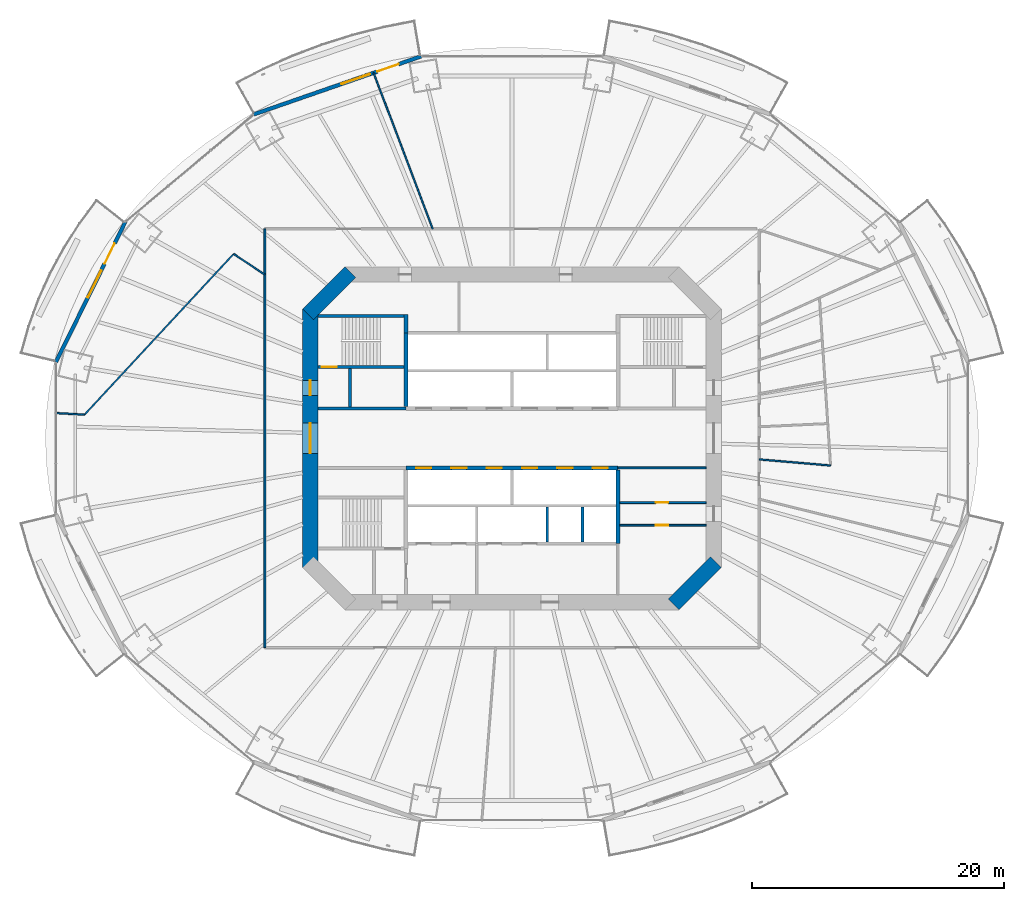
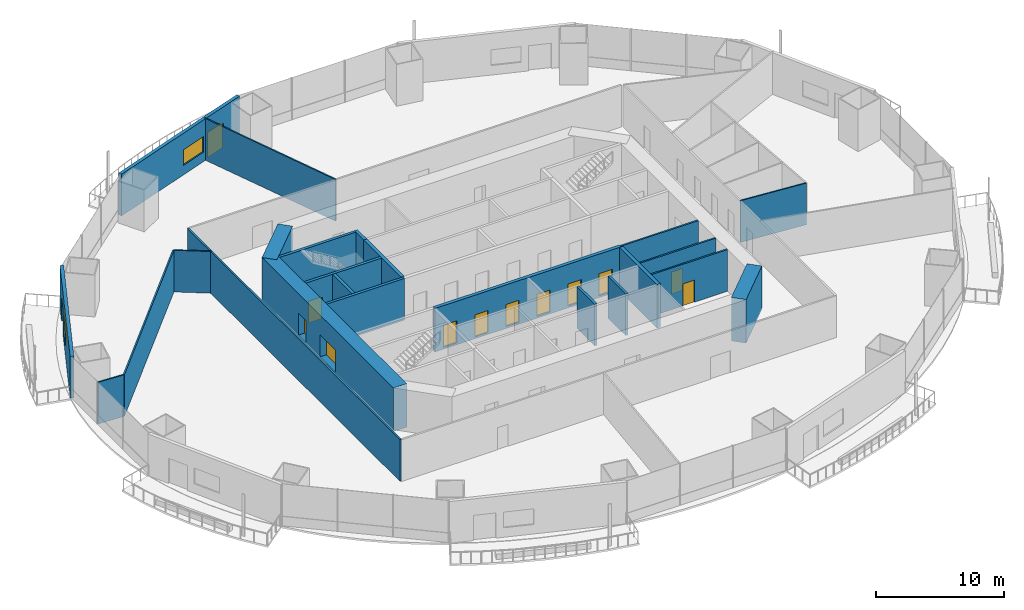
# One storey, part 15 of 23: 24 walls, 13 doors, 2 windows, 15 openings.
"""IFC4 building model written with IfcOpenShell, lengths in metres."""

from ifc_helpers import new_model, si_unit, direction, frame, frame_2d, origin, place, context, subcontext, project, spatial, rectangle, extrude, material, layer, layer_set, type_object, element, fill, save


model = new_model("IFC4")

# Units and contexts
model_context = context("Model", 3, precision=1e-05, world=origin(), true_north=direction((0.0, 1.0)))
body_context = subcontext(model_context, "Body", "Model", "MODEL_VIEW")
ifc_project = project(units=[si_unit("LENGTHUNIT", "METRE"), si_unit("AREAUNIT", "SQUARE_METRE"), si_unit("VOLUMEUNIT", "CUBIC_METRE"), si_unit("PLANEANGLEUNIT", "RADIAN"), si_unit("MASSUNIT", "GRAM", prefix="KILO")], contexts=[model_context])

# Site, building, storey
site_placement = place(None, origin())
site = spatial("IfcSite", under=ifc_project, at=site_placement, CompositionType="ELEMENT")
building_placement = place(site_placement, origin())
building = spatial("IfcBuilding", under=site, at=building_placement, Name="Marenthal Gate Tower", CompositionType="ELEMENT")
storey_placement = place(building_placement, frame((0.0, 0.0, 41.300048828125)))
storey = spatial("IfcBuildingStorey", under=building, at=storey_placement, Name="L06", CompositionType="ELEMENT", Elevation=41.300048828125)

# Walls
ifc_material_1 = material(Name="Concrete 60 MPa", Category="concrete")
ifc_layer_1 = layer(ifc_material_1, 1.199951171875)
ifc_layer_set_1 = layer_set([ifc_layer_1], Name="Core shear wall 1200")
wall_type_1 = type_object("IfcWallType", Name="Core shear wall 1200", PredefinedType="SHEAR", material=ifc_layer_set_1)
for number, where, z_axis, x_axis, name in (
    (1, (12.82421875, -13.17578125, -0.179931640625), (0.0, 0.0, 1.0), (0.707106781187, 0.707106781187, 0.0), "Core wall 01"),
    (2, (-12.82421875, 13.17578125, -0.179931640625), (0.0, 0.0, 1.0), (-0.707106781187, -0.707106781187, 0.0), "Core wall 05"),
):
    element("IfcWall", number, at=place(storey_placement, frame(where, z_axis=z_axis, x_axis=x_axis)), inside=storey, type_object=wall_type_1, Name=name, PredefinedType="SHEAR", context=body_context, shape_type="SweptSolid", body=[
        extrude(rectangle(XDim=4.73974609375, YDim=1.199951171875, at=frame_2d((2.369873046875, 0.0))), origin(), (0.0, 0.0, 1.0), 4.14990234375),
    ])

# Wall, openings, doors
wall_1_placement = place(storey_placement, frame((-16.0, 10.24853515625, -0.179931640625), z_axis=(0.0, 0.0, 1.0), x_axis=(0.0, -1.0, 0.0)))
wall_1 = element("IfcWall", 3, at=wall_1_placement, inside=storey, type_object=wall_type_1, Name="Core wall 06", PredefinedType="SHEAR", context=body_context, shape_type="SweptSolid", body=[
    extrude(rectangle(XDim=20.4970703125, YDim=1.199951171875, at=frame_2d((10.24853515625, 0.0))), origin(), (0.0, 0.0, 1.0), 4.14990234375),
])
opening_1_placement = place(wall_1_placement, frame((9.048583984375, 0.0, 0.179931640625)))
opening_1 = element("IfcOpeningElement", 4, at=opening_1_placement, cuts=wall_1, Name="Opening D003.01", PredefinedType="OPENING", context=body_context, shape_type="SweptSolid", body=[
    extrude(rectangle(XDim=2.39990234375, YDim=2.10009765625, at=frame_2d((1.199951171875, 1.050048828125))), frame((0.0, 0.60986328125, 0.0), z_axis=(0.0, -1.0, 0.0), x_axis=(1.0, 0.0, 0.0)), (0.0, 0.0, 1.0), 1.219970703125),
])
opening_2_placement = place(wall_1_placement, frame((5.6484375, 0.0, 0.179931640625)))
opening_2 = element("IfcOpeningElement", 5, at=opening_2_placement, cuts=wall_1, Name="Opening D001.04", PredefinedType="OPENING", context=body_context, shape_type="SweptSolid", body=[
    extrude(rectangle(XDim=1.199951171875, YDim=2.10009765625, at=frame_2d((0.60009765625, 1.050048828125))), frame((0.0, 0.60986328125, 0.0), z_axis=(0.0, -1.0, 0.0), x_axis=(1.0, 0.0, 0.0)), (0.0, 0.0, 1.0), 1.219970703125),
])
ifc_material_2 = material(Name="Steel fire door", Category="steel")
door_type_1 = type_object("IfcDoorType", Name="Double fire door FD 45 2400 x 2100", OperationType="DOUBLE_DOOR_SINGLE_SWING", PredefinedType="DOOR", material=ifc_material_2)
door_1_placement = place(opening_1_placement, origin())
door_1 = element("IfcDoor", 6, at=door_1_placement, inside=storey, type_object=door_type_1, Name="Door D003.01", OperationType="DOUBLE_DOOR_SINGLE_SWING", OverallHeight=2.10009765625, OverallWidth=2.39990234375, PredefinedType="DOOR", context=body_context, shape_type="SweptSolid", body=[
    extrude(rectangle(XDim=2.39990234375, YDim=2.10009765625, at=frame_2d((1.199951171875, 1.050048828125))), frame((0.0, 0.02490234375, 0.0), z_axis=(0.0, -1.0, 0.0), x_axis=(1.0, 0.0, 0.0)), (0.0, 0.0, 1.0), 0.050048828125),
])
fill(opening_1, door_1)
ifc_material_3 = material(Name="Steel fire door", Category="steel")
door_type_2 = type_object("IfcDoorType", Name="Fire door FD 90 1200 x 2100", OperationType="NOTDEFINED", PredefinedType="DOOR", material=ifc_material_3)
door_2_placement = place(opening_2_placement, origin())
door_2 = element("IfcDoor", 7, at=door_2_placement, inside=storey, type_object=door_type_2, Name="Door D001.04", OperationType="SINGLE_SWING_RIGHT", OverallHeight=2.10009765625, OverallWidth=1.199951171875, PredefinedType="DOOR", context=body_context, shape_type="SweptSolid", body=[
    extrude(rectangle(XDim=1.199951171875, YDim=2.10009765625, at=frame_2d((0.60009765625, 1.050048828125))), frame((0.0, 0.02490234375, 0.0), z_axis=(0.0, -1.0, 0.0), x_axis=(1.0, 0.0, 0.0)), (0.0, 0.0, 1.0), 0.050048828125),
])
fill(opening_2, door_2)

ifc_material_4 = material(Name="Concrete 50 MPa", Category="concrete")
ifc_layer_2 = layer(ifc_material_4, 0.300048828125)
ifc_layer_set_2 = layer_set([ifc_layer_2], Name="Hoistway shear wall 300")
wall_type_2 = type_object("IfcWallType", Name="Hoistway shear wall 300", PredefinedType="SHEAR", material=ifc_layer_set_2)
wall_2_placement = place(storey_placement, frame((-8.39990234375, -2.35009765625, -0.179931640625), z_axis=(0.0, 0.0, 1.0), x_axis=(1.0, 0.0, 0.0)))
wall_2 = element("IfcWall", 8, at=wall_2_placement, inside=storey, type_object=wall_type_2, Name="Hoistway wall 17", PredefinedType="SHEAR", context=body_context, shape_type="SweptSolid", body=[
    extrude(rectangle(XDim=16.7998046875, YDim=0.300048828125, at=frame_2d((8.39990234375, 0.0))), origin(), (0.0, 0.0, 1.0), 4.14990234375),
])
opening_3_placement = place(wall_2_placement, frame((0.800048828125, 0.0, 0.179931640625)))
opening_3 = element("IfcOpeningElement", 9, at=opening_3_placement, cuts=wall_2, Name="Opening LD-LP7", PredefinedType="OPENING", context=body_context, shape_type="SweptSolid", body=[
    extrude(rectangle(XDim=1.199951171875, YDim=2.10009765625, at=frame_2d((0.60009765625, 1.050048828125))), frame((0.0, 0.16015625, 0.0), z_axis=(0.0, -1.0, 0.0), x_axis=(1.0, 0.0, 0.0)), (0.0, 0.0, 1.0), 0.320068359375),
])
opening_4_placement = place(wall_2_placement, frame((3.60009765625, 0.0, 0.179931640625)))
opening_4 = element("IfcOpeningElement", 10, at=opening_4_placement, cuts=wall_2, Name="Opening LD-LP8", PredefinedType="OPENING", context=body_context, shape_type="SweptSolid", body=[
    extrude(rectangle(XDim=1.199951171875, YDim=2.10009765625, at=frame_2d((0.60009765625, 1.050048828125))), frame((0.0, 0.16015625, 0.0), z_axis=(0.0, -1.0, 0.0), x_axis=(1.0, 0.0, 0.0)), (0.0, 0.0, 1.0), 0.320068359375),
])
opening_5_placement = place(wall_2_placement, frame((6.39990234375, 0.0, 0.179931640625)))
opening_5 = element("IfcOpeningElement", 11, at=opening_5_placement, cuts=wall_2, Name="Opening LD-LP9", PredefinedType="OPENING", context=body_context, shape_type="SweptSolid", body=[
    extrude(rectangle(XDim=1.199951171875, YDim=2.10009765625, at=frame_2d((0.60009765625, 1.050048828125))), frame((0.0, 0.16015625, 0.0), z_axis=(0.0, -1.0, 0.0), x_axis=(1.0, 0.0, 0.0)), (0.0, 0.0, 1.0), 0.320068359375),
])
opening_6_placement = place(wall_2_placement, frame((9.199951171875, 0.0, 0.179931640625)))
opening_6 = element("IfcOpeningElement", 12, at=opening_6_placement, cuts=wall_2, Name="Opening LD-LP10", PredefinedType="OPENING", context=body_context, shape_type="SweptSolid", body=[
    extrude(rectangle(XDim=1.199951171875, YDim=2.10009765625, at=frame_2d((0.60009765625, 1.050048828125))), frame((0.0, 0.16015625, 0.0), z_axis=(0.0, -1.0, 0.0), x_axis=(1.0, 0.0, 0.0)), (0.0, 0.0, 1.0), 0.320068359375),
])
opening_7_placement = place(wall_2_placement, frame((12.0, 0.0, 0.179931640625)))
opening_7 = element("IfcOpeningElement", 13, at=opening_7_placement, cuts=wall_2, Name="Opening LD-LP11", PredefinedType="OPENING", context=body_context, shape_type="SweptSolid", body=[
    extrude(rectangle(XDim=1.199951171875, YDim=2.10009765625, at=frame_2d((0.60009765625, 1.050048828125))), frame((0.0, 0.16015625, 0.0), z_axis=(0.0, -1.0, 0.0), x_axis=(1.0, 0.0, 0.0)), (0.0, 0.0, 1.0), 0.320068359375),
])
opening_8_placement = place(wall_2_placement, frame((14.800048828125, 0.0, 0.179931640625)))
opening_8 = element("IfcOpeningElement", 14, at=opening_8_placement, cuts=wall_2, Name="Opening LD-LP12", PredefinedType="OPENING", context=body_context, shape_type="SweptSolid", body=[
    extrude(rectangle(XDim=1.199951171875, YDim=2.10009765625, at=frame_2d((0.60009765625, 1.050048828125))), frame((0.0, 0.16015625, 0.0), z_axis=(0.0, -1.0, 0.0), x_axis=(1.0, 0.0, 0.0)), (0.0, 0.0, 1.0), 0.320068359375),
])
ifc_material_5 = material(Name="Stainless steel sliding door", Category="steel")
door_type_3 = type_object("IfcDoorType", Name="Lift landing door FD 90 1200 x 2100", OperationType="DOUBLE_DOOR_SLIDING", PredefinedType="DOOR", material=ifc_material_5)
door_3_placement = place(opening_3_placement, origin())
door_3 = element("IfcDoor", 15, at=door_3_placement, inside=storey, type_object=door_type_3, Name="Lift landing door LP7", OperationType="DOUBLE_DOOR_SLIDING", OverallHeight=2.10009765625, OverallWidth=1.199951171875, PredefinedType="DOOR", context=body_context, shape_type="SweptSolid", body=[
    extrude(rectangle(XDim=1.199951171875, YDim=2.10009765625, at=frame_2d((0.60009765625, 1.050048828125))), frame((0.0, 0.02490234375, 0.0), z_axis=(0.0, -1.0, 0.0), x_axis=(1.0, 0.0, 0.0)), (0.0, 0.0, 1.0), 0.050048828125),
])
fill(opening_3, door_3)
door_4_placement = place(opening_4_placement, origin())
door_4 = element("IfcDoor", 16, at=door_4_placement, inside=storey, type_object=door_type_3, Name="Lift landing door LP8", OperationType="DOUBLE_DOOR_SLIDING", OverallHeight=2.10009765625, OverallWidth=1.199951171875, PredefinedType="DOOR", context=body_context, shape_type="SweptSolid", body=[
    extrude(rectangle(XDim=1.199951171875, YDim=2.10009765625, at=frame_2d((0.60009765625, 1.050048828125))), frame((0.0, 0.02490234375, 0.0), z_axis=(0.0, -1.0, 0.0), x_axis=(1.0, 0.0, 0.0)), (0.0, 0.0, 1.0), 0.050048828125),
])
fill(opening_4, door_4)
door_5_placement = place(opening_5_placement, origin())
door_5 = element("IfcDoor", 17, at=door_5_placement, inside=storey, type_object=door_type_3, Name="Lift landing door LP9", OperationType="DOUBLE_DOOR_SLIDING", OverallHeight=2.10009765625, OverallWidth=1.199951171875, PredefinedType="DOOR", context=body_context, shape_type="SweptSolid", body=[
    extrude(rectangle(XDim=1.199951171875, YDim=2.10009765625, at=frame_2d((0.60009765625, 1.050048828125))), frame((0.0, 0.02490234375, 0.0), z_axis=(0.0, -1.0, 0.0), x_axis=(1.0, 0.0, 0.0)), (0.0, 0.0, 1.0), 0.050048828125),
])
fill(opening_5, door_5)
door_6_placement = place(opening_6_placement, origin())
door_6 = element("IfcDoor", 18, at=door_6_placement, inside=storey, type_object=door_type_3, Name="Lift landing door LP10", OperationType="DOUBLE_DOOR_SLIDING", OverallHeight=2.10009765625, OverallWidth=1.199951171875, PredefinedType="DOOR", context=body_context, shape_type="SweptSolid", body=[
    extrude(rectangle(XDim=1.199951171875, YDim=2.10009765625, at=frame_2d((0.60009765625, 1.050048828125))), frame((0.0, 0.02490234375, 0.0), z_axis=(0.0, -1.0, 0.0), x_axis=(1.0, 0.0, 0.0)), (0.0, 0.0, 1.0), 0.050048828125),
])
fill(opening_6, door_6)
door_7_placement = place(opening_7_placement, origin())
door_7 = element("IfcDoor", 19, at=door_7_placement, inside=storey, type_object=door_type_3, Name="Lift landing door LP11", OperationType="DOUBLE_DOOR_SLIDING", OverallHeight=2.10009765625, OverallWidth=1.199951171875, PredefinedType="DOOR", context=body_context, shape_type="SweptSolid", body=[
    extrude(rectangle(XDim=1.199951171875, YDim=2.10009765625, at=frame_2d((0.60009765625, 1.050048828125))), frame((0.0, 0.02490234375, 0.0), z_axis=(0.0, -1.0, 0.0), x_axis=(1.0, 0.0, 0.0)), (0.0, 0.0, 1.0), 0.050048828125),
])
fill(opening_7, door_7)
door_8_placement = place(opening_8_placement, origin())
door_8 = element("IfcDoor", 20, at=door_8_placement, inside=storey, type_object=door_type_3, Name="Lift landing door LP12", OperationType="DOUBLE_DOOR_SLIDING", OverallHeight=2.10009765625, OverallWidth=1.199951171875, PredefinedType="DOOR", context=body_context, shape_type="SweptSolid", body=[
    extrude(rectangle(XDim=1.199951171875, YDim=2.10009765625, at=frame_2d((0.60009765625, 1.050048828125))), frame((0.0, 0.02490234375, 0.0), z_axis=(0.0, -1.0, 0.0), x_axis=(1.0, 0.0, 0.0)), (0.0, 0.0, 1.0), 0.050048828125),
])
fill(opening_8, door_8)

# Walls
for number, where, z_axis, x_axis, name in (
    (21, (-8.39990234375, 2.5, -0.179931640625), (0.0, 0.0, 1.0), (0.0, 1.0, 0.0), "Hoistway wall 32"),
    (22, (8.39990234375, -8.35009765625, -0.179931640625), (0.0, 0.0, 1.0), (0.0, 1.0, 0.0), "Hoistway wall 43"),
):
    element("IfcWall", number, at=place(storey_placement, frame(where, z_axis=z_axis, x_axis=x_axis)), inside=storey, type_object=wall_type_2, Name=name, PredefinedType="SHEAR", context=body_context, shape_type="SweptSolid", body=[
        extrude(rectangle(XDim=5.85009765625, YDim=0.300048828125, at=frame_2d((2.925048828125, 0.0))), origin(), (0.0, 0.0, 1.0), 4.14990234375),
    ])
ifc_material_6 = material(Name="Concrete 40 MPa", Category="concrete")
ifc_layer_3 = layer(ifc_material_6, 0.219970703125)
ifc_layer_set_3 = layer_set([ifc_layer_3], Name="Hoistway wall 220")
wall_type_3 = type_object("IfcWallType", Name="Hoistway wall 220", PredefinedType="STANDARD", material=ifc_layer_set_3)
for number, where, z_axis, x_axis, name in (
    (23, (2.800048828125, -8.239990234375, 0.0), (0.0, 0.0, 1.0), (0.0, 1.0, 0.0), "Hoistway wall 39"),
    (24, (5.60009765625, -8.239990234375, 0.0), (0.0, 0.0, 1.0), (0.0, 1.0, 0.0), "Hoistway wall 41"),
):
    element("IfcWall", number, at=place(storey_placement, frame(where, z_axis=z_axis, x_axis=x_axis)), inside=storey, type_object=wall_type_3, Name=name, PredefinedType="STANDARD", context=body_context, shape_type="SweptSolid", body=[
        extrude(rectangle(XDim=2.780029296875, YDim=0.219970703125, at=frame_2d((1.39013671875, 0.0))), origin(), (0.0, 0.0, 1.0), 3.969970703125),
    ])
ifc_material_7 = material(Name="Gypsum board on steel studs", Category="steel")
ifc_layer_4 = layer(ifc_material_7, 0.1201171875)
ifc_layer_set_4 = layer_set([ifc_layer_4], Name="Partition 120")
wall_type_4 = type_object("IfcWallType", Name="Partition 120", PredefinedType="PARTITIONING", material=ifc_layer_set_4)
wall_3_placement = place(storey_placement, frame((-33.89599609375, 1.872314453125, 0.0), z_axis=(0.0, 0.0, 1.0), x_axis=(-0.998476791084, 0.055173341997, 0.0)))
element("IfcWall", 25, at=wall_3_placement, inside=storey, type_object=wall_type_4, Name="Partition wall 47", PredefinedType="PARTITIONING", context=body_context, shape_type="SweptSolid", body=[
    extrude(rectangle(XDim=2.27880859375, YDim=0.1201171875, at=frame_2d((1.139404296875, 0.0))), origin(), (0.0, 0.0, 1.0), 3.969970703125),
])
wall_4_placement = place(storey_placement, frame((-22.07470703125, 14.6162109375, 0.0), z_axis=(0.0, 0.0, 1.0), x_axis=(-0.680070131549, -0.733147063129, 0.0)))
element("IfcWall", 26, at=wall_4_placement, inside=storey, type_object=wall_type_4, Name="Partition wall 48", PredefinedType="PARTITIONING", context=body_context, shape_type="SweptSolid", body=[
    extrude(rectangle(XDim=17.382568359375, YDim=0.1201171875, at=frame_2d((8.69140625, 0.0))), origin(), (0.0, 0.0, 1.0), 3.969970703125),
])
wall_5_placement = place(storey_placement, frame((-22.07470703125, 14.6162109375, 0.0), z_axis=(0.0, 0.0, 1.0), x_axis=(0.833767380318, -0.552115889571, 0.0)))
element("IfcWall", 27, at=wall_5_placement, inside=storey, type_object=wall_type_4, Name="Partition wall 49", PredefinedType="PARTITIONING", context=body_context, shape_type="SweptSolid", body=[
    extrude(rectangle(XDim=2.968017578125, YDim=0.1201171875, at=frame_2d((1.48388671875, 0.0))), origin(), (0.0, 0.0, 1.0), 3.969970703125),
])
wall_6_placement = place(storey_placement, frame((-6.286865234375, 16.60009765625, 0.0), z_axis=(0.0, 0.0, 1.0), x_axis=(-0.35419259506, 0.935172500453, 0.0)))
element("IfcWall", 28, at=wall_6_placement, inside=storey, type_object=wall_type_4, Name="Partition wall 52", PredefinedType="PARTITIONING", context=body_context, shape_type="SweptSolid", body=[
    extrude(rectangle(XDim=13.233642578125, YDim=0.1201171875, at=frame_2d((6.61669921875, 0.0))), origin(), (0.0, 0.0, 1.0), 3.969970703125),
])
wall_7_placement = place(storey_placement, frame((25.2587890625, -2.161865234375, 0.0), z_axis=(0.0, 0.0, 1.0), x_axis=(-0.996356466097, 0.08528653157, 0.0)))
element("IfcWall", 29, at=wall_7_placement, inside=storey, type_object=wall_type_4, Name="Partition wall 62", PredefinedType="PARTITIONING", context=body_context, shape_type="SweptSolid", body=[
    extrude(rectangle(XDim=5.679443359375, YDim=0.1201171875, at=frame_2d((2.83984375, 0.0))), origin(), (0.0, 0.0, 1.0), 3.969970703125),
])

# Wall, opening, door
ifc_material_8 = material(Name="Gypsum board on steel studs", Category="steel")
ifc_layer_5 = layer(ifc_material_8, 0.14990234375)
ifc_layer_set_5 = layer_set([ifc_layer_5], Name="Partition 150")
wall_type_5 = type_object("IfcWallType", Name="Partition 150", PredefinedType="PARTITIONING", material=ifc_layer_set_5)
wall_8_placement = place(storey_placement, frame((8.550048828125, -6.89990234375, 0.0), z_axis=(0.0, 0.0, 1.0), x_axis=(1.0, 0.0, 0.0)))
wall_8 = element("IfcWall", 30, at=wall_8_placement, inside=storey, type_object=wall_type_5, Name="Partition wall 12", PredefinedType="PARTITIONING", context=body_context, shape_type="SweptSolid", body=[
    extrude(rectangle(XDim=6.849853515625, YDim=0.14990234375, at=frame_2d((3.4248046875, 0.0))), origin(), (0.0, 0.0, 1.0), 3.969970703125),
])
opening_9_placement = place(wall_8_placement, frame((2.85009765625, 0.0, 0.0)))
opening_9 = element("IfcOpeningElement", 31, at=opening_9_placement, cuts=wall_8, Name="Opening D005.04", PredefinedType="OPENING", context=body_context, shape_type="SweptSolid", body=[
    extrude(rectangle(XDim=1.0, YDim=2.10009765625, at=frame_2d((0.5, 1.050048828125))), frame((0.0, 0.0849609375, 0.0), z_axis=(0.0, -1.0, 0.0), x_axis=(1.0, 0.0, 0.0)), (0.0, 0.0, 1.0), 0.169921875),
])
ifc_material_9 = material(Name="Steel fire door", Category="steel")
door_type_4 = type_object("IfcDoorType", Name="Fire door FD 45 1000 x 2100", OperationType="NOTDEFINED", PredefinedType="DOOR", material=ifc_material_9)
door_9_placement = place(opening_9_placement, frame((1.0, 0.0, 0.0), z_axis=(0.0, 0.0, 1.0), x_axis=(-1.0, 0.0, 0.0)))
door_9 = element("IfcDoor", 32, at=door_9_placement, inside=storey, type_object=door_type_4, Name="Door D005.04", OperationType="SINGLE_SWING_LEFT", OverallHeight=2.10009765625, OverallWidth=1.0, PredefinedType="DOOR", context=body_context, shape_type="SweptSolid", body=[
    extrude(rectangle(XDim=1.0, YDim=2.10009765625, at=frame_2d((0.5, 1.050048828125))), frame((0.0, 0.02490234375, 0.0), z_axis=(0.0, -1.0, 0.0), x_axis=(1.0, 0.0, 0.0)), (0.0, 0.0, 1.0), 0.050048828125),
])
fill(opening_9, door_9)

wall_9_placement = place(storey_placement, frame((8.550048828125, -5.10009765625, 0.0), z_axis=(0.0, 0.0, 1.0), x_axis=(1.0, 0.0, 0.0)))
wall_9 = element("IfcWall", 33, at=wall_9_placement, inside=storey, type_object=wall_type_5, Name="Partition wall 14", PredefinedType="PARTITIONING", context=body_context, shape_type="SweptSolid", body=[
    extrude(rectangle(XDim=6.849853515625, YDim=0.14990234375, at=frame_2d((3.4248046875, 0.0))), origin(), (0.0, 0.0, 1.0), 3.969970703125),
])
opening_10_placement = place(wall_9_placement, frame((2.85009765625, 0.0, 0.0)))
opening_10 = element("IfcOpeningElement", 34, at=opening_10_placement, cuts=wall_9, Name="Opening D005.03", PredefinedType="OPENING", context=body_context, shape_type="SweptSolid", body=[
    extrude(rectangle(XDim=1.0, YDim=2.10009765625, at=frame_2d((0.5, 1.050048828125))), frame((0.0, 0.0849609375, 0.0), z_axis=(0.0, -1.0, 0.0), x_axis=(1.0, 0.0, 0.0)), (0.0, 0.0, 1.0), 0.169921875),
])
door_10_placement = place(opening_10_placement, origin())
door_10 = element("IfcDoor", 35, at=door_10_placement, inside=storey, type_object=door_type_4, Name="Door D005.03", OperationType="SINGLE_SWING_RIGHT", OverallHeight=2.10009765625, OverallWidth=1.0, PredefinedType="DOOR", context=body_context, shape_type="SweptSolid", body=[
    extrude(rectangle(XDim=1.0, YDim=2.10009765625, at=frame_2d((0.5, 1.050048828125))), frame((0.0, 0.02490234375, 0.0), z_axis=(0.0, -1.0, 0.0), x_axis=(1.0, 0.0, 0.0)), (0.0, 0.0, 1.0), 0.050048828125),
])
fill(opening_10, door_10)

# Walls
wall_10_placement = place(storey_placement, frame((8.39990234375, -2.35009765625, 0.0), z_axis=(0.0, 0.0, 1.0), x_axis=(1.0, 0.0, 0.0)))
element("IfcWall", 36, at=wall_10_placement, inside=storey, type_object=wall_type_5, Name="Partition wall 18", PredefinedType="PARTITIONING", context=body_context, shape_type="SweptSolid", body=[
    extrude(rectangle(XDim=7.0, YDim=0.14990234375, at=frame_2d((3.5, 0.0))), origin(), (0.0, 0.0, 1.0), 3.969970703125),
])
wall_11_placement = place(storey_placement, frame((-19.60009765625, -16.60009765625, 0.0), z_axis=(0.0, 0.0, 1.0), x_axis=(0.0, 1.0, 0.0)))
element("IfcWall", 37, at=wall_11_placement, inside=storey, type_object=wall_type_5, Name="Partition wall 50", PredefinedType="PARTITIONING", context=body_context, shape_type="SweptSolid", body=[
    extrude(rectangle(XDim=33.2001953125, YDim=0.14990234375, at=frame_2d((16.60009765625, 0.0))), origin(), (0.0, 0.0, 1.0), 3.969970703125),
])
ifc_material_10 = material(Name="Concrete 40 MPa", Category="concrete")
ifc_layer_6 = layer(ifc_material_10, 0.25)
ifc_layer_set_6 = layer_set([ifc_layer_6], Name="Stair enclosure wall 250")
wall_type_6 = type_object("IfcWallType", Name="Stair enclosure wall 250", PredefinedType="STANDARD", material=ifc_layer_set_6)
wall_12_placement = place(storey_placement, frame((-15.39990234375, 2.35009765625, 0.0), z_axis=(0.0, 0.0, 1.0), x_axis=(1.0, 0.0, 0.0)))
element("IfcWall", 38, at=wall_12_placement, inside=storey, type_object=wall_type_6, Name="Stair wall 19", PredefinedType="STANDARD", context=body_context, shape_type="SweptSolid", body=[
    extrude(rectangle(XDim=7.0, YDim=0.25, at=frame_2d((3.5, 0.0))), origin(), (0.0, 0.0, 1.0), 3.969970703125),
])
wall_13_placement = place(storey_placement, frame((-12.85009765625, 2.47509765625, 0.0), z_axis=(0.0, 0.0, 1.0), x_axis=(0.0, 1.0, 0.0)))
element("IfcWall", 39, at=wall_13_placement, inside=storey, type_object=wall_type_6, Name="Stair wall 28", PredefinedType="STANDARD", context=body_context, shape_type="SweptSolid", body=[
    extrude(rectangle(XDim=3.0498046875, YDim=0.25, at=frame_2d((1.52490234375, 0.0))), origin(), (0.0, 0.0, 1.0), 3.969970703125),
])

# Wall, opening, door
ifc_material_11 = material(Name="Concrete 50 MPa", Category="concrete")
ifc_layer_7 = layer(ifc_material_11, 0.25)
ifc_layer_set_7 = layer_set([ifc_layer_7], Name="Stair shear wall 250")
wall_type_7 = type_object("IfcWallType", Name="Stair shear wall 250", PredefinedType="SHEAR", material=ifc_layer_set_7)
wall_14_placement = place(storey_placement, frame((-15.39990234375, 5.64990234375, -0.179931640625), z_axis=(0.0, 0.0, 1.0), x_axis=(1.0, 0.0, 0.0)))
wall_14 = element("IfcWall", 40, at=wall_14_placement, inside=storey, type_object=wall_type_7, Name="Stair wall 23", PredefinedType="SHEAR", context=body_context, shape_type="SweptSolid", body=[
    extrude(rectangle(XDim=6.849853515625, YDim=0.25, at=frame_2d((3.4248046875, 0.0))), origin(), (0.0, 0.0, 1.0), 4.14990234375),
])
opening_11_placement = place(wall_14_placement, frame((0.300048828125, 0.0, 0.179931640625)))
opening_11 = element("IfcOpeningElement", 41, at=opening_11_placement, cuts=wall_14, Name="Opening D001.01", PredefinedType="OPENING", context=body_context, shape_type="SweptSolid", body=[
    extrude(rectangle(XDim=1.199951171875, YDim=2.10009765625, at=frame_2d((0.60009765625, 1.050048828125))), frame((0.0, 0.135009765625, 0.0), z_axis=(0.0, -1.0, 0.0), x_axis=(1.0, 0.0, 0.0)), (0.0, 0.0, 1.0), 0.27001953125),
])
door_11_placement = place(opening_11_placement, origin())
door_11 = element("IfcDoor", 42, at=door_11_placement, inside=storey, type_object=door_type_2, Name="Door D001.01", OperationType="SINGLE_SWING_RIGHT", OverallHeight=2.10009765625, OverallWidth=1.199951171875, PredefinedType="DOOR", context=body_context, shape_type="SweptSolid", body=[
    extrude(rectangle(XDim=1.199951171875, YDim=2.10009765625, at=frame_2d((0.60009765625, 1.050048828125))), frame((0.0, 0.02490234375, 0.0), z_axis=(0.0, -1.0, 0.0), x_axis=(1.0, 0.0, 0.0)), (0.0, 0.0, 1.0), 0.050048828125),
])
fill(opening_11, door_11)

# Walls
wall_15_placement = place(storey_placement, frame((-15.39990234375, 9.699951171875, -0.179931640625), z_axis=(0.0, 0.0, 1.0), x_axis=(1.0, 0.0, 0.0)))
element("IfcWall", 43, at=wall_15_placement, inside=storey, type_object=wall_type_7, Name="Stair wall 26", PredefinedType="SHEAR", context=body_context, shape_type="SweptSolid", body=[
    extrude(rectangle(XDim=6.849853515625, YDim=0.25, at=frame_2d((3.4248046875, 0.0))), origin(), (0.0, 0.0, 1.0), 4.14990234375),
])
ifc_material_12 = material(Name="Concrete 50 MPa", Category="concrete")
ifc_layer_8 = layer(ifc_material_12, 0.300048828125)
ifc_layer_set_8 = layer_set([ifc_layer_8], Name="Stair shear wall 300")
wall_type_8 = type_object("IfcWallType", Name="Stair shear wall 300", PredefinedType="SHEAR", material=ifc_layer_set_8)
wall_16_placement = place(storey_placement, frame((-8.39990234375, 8.35009765625, -0.179931640625), z_axis=(0.0, 0.0, 1.0), x_axis=(0.0, 1.0, 0.0)))
element("IfcWall", 44, at=wall_16_placement, inside=storey, type_object=wall_type_8, Name="Stair wall 33", PredefinedType="SHEAR", context=body_context, shape_type="SweptSolid", body=[
    extrude(rectangle(XDim=1.474853515625, YDim=0.300048828125, at=frame_2d((0.7373046875, 0.0))), origin(), (0.0, 0.0, 1.0), 4.14990234375),
])

# Wall, openings, door, window
ifc_material_13 = material(Name="Terracotta cladding on insulated concrete-block backing", Category="masonry")
ifc_layer_9 = layer(ifc_material_13, 0.300048828125)
ifc_layer_set_9 = layer_set([ifc_layer_9], Name="Terracotta facade wall 300")
wall_type_9 = type_object("IfcWallType", Name="Terracotta facade wall 300", PredefinedType="SOLIDWALL", material=ifc_layer_set_9)
wall_17_placement = place(storey_placement, frame((-7.19482421875, 30.28662109375, 0.0), z_axis=(0.0, 0.0, 1.0), x_axis=(-0.944791803015, -0.327671251341, 0.0)))
wall_17 = element("IfcWall", 45, at=wall_17_placement, inside=storey, type_object=wall_type_9, Name="Terracotta facade wall L06 bay 5", PredefinedType="SOLIDWALL", context=body_context, shape_type="SweptSolid", body=[
    extrude(rectangle(XDim=14.071533203125, YDim=0.300048828125, at=frame_2d((7.03564453125, 0.0))), origin(), (0.0, 0.0, 1.0), 3.969970703125),
])
opening_12_placement = place(wall_17_placement, frame((1.89990234375, 0.0, 0.0)))
opening_12 = element("IfcOpeningElement", 46, at=opening_12_placement, cuts=wall_17, Name="Opening BD-L06-05", PredefinedType="OPENING", context=body_context, shape_type="SweptSolid", body=[
    extrude(rectangle(XDim=1.800048828125, YDim=2.39990234375, at=frame_2d((0.89990234375, 1.199951171875))), frame((0.0, 0.16015625, 0.0), z_axis=(0.0, -1.0, 0.0), x_axis=(1.0, 0.0, 0.0)), (0.0, 0.0, 1.0), 0.320068359375),
])
opening_13_placement = place(wall_17_placement, frame((4.300048828125, 0.0, 0.89990234375)))
opening_13 = element("IfcOpeningElement", 47, at=opening_13_placement, cuts=wall_17, Name="Opening WN1-L06-05", PredefinedType="OPENING", context=body_context, shape_type="SweptSolid", body=[
    extrude(rectangle(XDim=2.39990234375, YDim=1.5, at=frame_2d((1.199951171875, 0.75))), frame((0.0, 0.16015625, 0.0), z_axis=(0.0, -1.0, 0.0), x_axis=(1.0, 0.0, 0.0)), (0.0, 0.0, 1.0), 0.320068359375),
])
ifc_material_14 = material(Name="Aluminium and glass", Category="aluminium")
door_type_5 = type_object("IfcDoorType", Name="Balcony door 1800x2400", OperationType="DOUBLE_DOOR_SINGLE_SWING", PredefinedType="DOOR", material=ifc_material_14)
door_12_placement = place(opening_12_placement, origin())
door_12 = element("IfcDoor", 48, at=door_12_placement, inside=storey, type_object=door_type_5, Name="Balcony door L06 bay 5", OperationType="SINGLE_SWING_LEFT", OverallHeight=2.39990234375, OverallWidth=1.800048828125, PredefinedType="DOOR", context=body_context, shape_type="SweptSolid", body=[
    extrude(rectangle(XDim=1.800048828125, YDim=2.39990234375, at=frame_2d((0.89990234375, 1.199951171875))), frame((0.0, 0.02490234375, 0.0), z_axis=(0.0, -1.0, 0.0), x_axis=(1.0, 0.0, 0.0)), (0.0, 0.0, 1.0), 0.050048828125),
])
fill(opening_12, door_12)
ifc_material_15 = material(Name="Aluminium and glass", Category="aluminium")
window_type = type_object("IfcWindowType", Name="Window 2400x1500", PartitioningType="TRIPLE_PANEL_VERTICAL", PredefinedType="WINDOW", material=ifc_material_15)
window_1_placement = place(opening_13_placement, origin())
window_1 = element("IfcWindow", 49, at=window_1_placement, inside=storey, type_object=window_type, Name="Window L06 bay 5", OverallHeight=1.5, OverallWidth=2.39990234375, PartitioningType="SINGLE_PANEL", PredefinedType="WINDOW", context=body_context, shape_type="SweptSolid", body=[
    extrude(rectangle(XDim=2.39990234375, YDim=1.5, at=frame_2d((1.199951171875, 0.75))), frame((0.0, 0.030029296875, 0.0), z_axis=(0.0, -1.0, 0.0), x_axis=(1.0, 0.0, 0.0)), (0.0, 0.0, 1.0), 0.06005859375),
])
fill(opening_13, window_1)

wall_18_placement = place(storey_placement, frame((-30.66455078125, 17.156005859375, 0.0), z_axis=(0.0, 0.0, 1.0), x_axis=(-0.443411588907, -0.896318114747, 0.0)))
wall_18 = element("IfcWall", 50, at=wall_18_placement, inside=storey, type_object=wall_type_9, Name="Terracotta facade wall L06 bay 7", PredefinedType="SOLIDWALL", context=body_context, shape_type="SweptSolid", body=[
    extrude(rectangle(XDim=12.419189453125, YDim=0.300048828125, at=frame_2d((6.20947265625, 0.0))), origin(), (0.0, 0.0, 1.0), 3.969970703125),
])
opening_14_placement = place(wall_18_placement, frame((1.89990234375, 0.0, 0.0)))
opening_14 = element("IfcOpeningElement", 51, at=opening_14_placement, cuts=wall_18, Name="Opening BD-L06-07", PredefinedType="OPENING", context=body_context, shape_type="SweptSolid", body=[
    extrude(rectangle(XDim=1.800048828125, YDim=2.39990234375, at=frame_2d((0.89990234375, 1.199951171875))), frame((0.0, 0.16015625, 0.0), z_axis=(0.0, -1.0, 0.0), x_axis=(1.0, 0.0, 0.0)), (0.0, 0.0, 1.0), 0.320068359375),
])
opening_15_placement = place(wall_18_placement, frame((4.300048828125, 0.0, 0.89990234375)))
opening_15 = element("IfcOpeningElement", 52, at=opening_15_placement, cuts=wall_18, Name="Opening WN1-L06-07", PredefinedType="OPENING", context=body_context, shape_type="SweptSolid", body=[
    extrude(rectangle(XDim=2.39990234375, YDim=1.5, at=frame_2d((1.199951171875, 0.75))), frame((0.0, 0.16015625, 0.0), z_axis=(0.0, -1.0, 0.0), x_axis=(1.0, 0.0, 0.0)), (0.0, 0.0, 1.0), 0.320068359375),
])
door_13_placement = place(opening_14_placement, origin())
door_13 = element("IfcDoor", 53, at=door_13_placement, inside=storey, type_object=door_type_5, Name="Balcony door L06 bay 7", OperationType="SINGLE_SWING_LEFT", OverallHeight=2.39990234375, OverallWidth=1.800048828125, PredefinedType="DOOR", context=body_context, shape_type="SweptSolid", body=[
    extrude(rectangle(XDim=1.800048828125, YDim=2.39990234375, at=frame_2d((0.89990234375, 1.199951171875))), frame((0.0, 0.02490234375, 0.0), z_axis=(0.0, -1.0, 0.0), x_axis=(1.0, 0.0, 0.0)), (0.0, 0.0, 1.0), 0.050048828125),
])
fill(opening_14, door_13)
window_2_placement = place(opening_15_placement, origin())
window_2 = element("IfcWindow", 54, at=window_2_placement, inside=storey, type_object=window_type, Name="Window L06 bay 7", OverallHeight=1.5, OverallWidth=2.39990234375, PartitioningType="SINGLE_PANEL", PredefinedType="WINDOW", context=body_context, shape_type="SweptSolid", body=[
    extrude(rectangle(XDim=2.39990234375, YDim=1.5, at=frame_2d((1.199951171875, 0.75))), frame((0.0, 0.030029296875, 0.0), z_axis=(0.0, -1.0, 0.0), x_axis=(1.0, 0.0, 0.0)), (0.0, 0.0, 1.0), 0.06005859375),
])
fill(opening_15, window_2)

save(model, "model.ifc")
